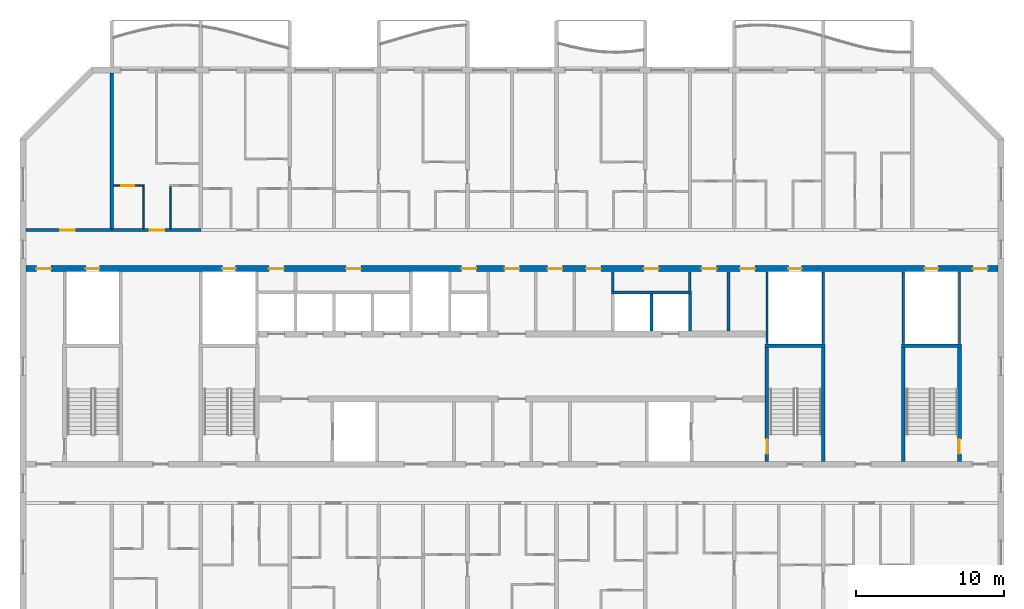
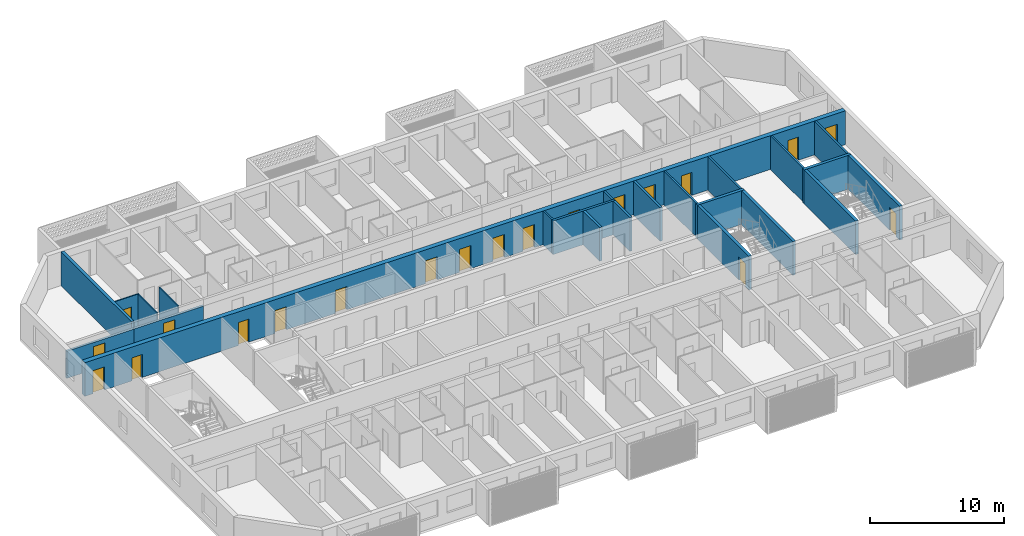
# One storey, part 7 of 27: 23 walls, 20 doors, 20 openings.
"""IFC4 building model written with IfcOpenShell, lengths in metres."""

from ifc_helpers import new_model, si_unit, direction, frame, frame_2d, origin, place, context, subcontext, project, spatial, rectangle, extrude, material, layer, layer_set, type_object, element, fill, save


model = new_model("IFC4")

# Units and contexts
model_context = context("Model", 3, precision=1e-05, world=origin(), true_north=direction((0.0, 1.0)))
body_context = subcontext(model_context, "Body", "Model", "MODEL_VIEW")
ifc_project = project(units=[si_unit("LENGTHUNIT", "METRE"), si_unit("AREAUNIT", "SQUARE_METRE"), si_unit("VOLUMEUNIT", "CUBIC_METRE"), si_unit("PLANEANGLEUNIT", "RADIAN"), si_unit("MASSUNIT", "GRAM", prefix="KILO")], contexts=[model_context])

# Site, building, storey
site_placement = place(None, origin())
site = spatial("IfcSite", under=ifc_project, at=site_placement, CompositionType="ELEMENT")
building_placement = place(site_placement, origin())
building = spatial("IfcBuilding", under=site, at=building_placement, Name="Poui Terraces", CompositionType="ELEMENT")
storey_placement = place(building_placement, frame((0.0, 0.0, 198.300048828125)))
storey = spatial("IfcBuildingStorey", under=building, at=storey_placement, Name="L55", CompositionType="ELEMENT", Elevation=198.300048828125)

# Wall, opening, door
ifc_material_1 = material(Name="Concrete 50 MPa", Category="concrete")
ifc_layer_1 = layer(ifc_material_1, 0.199951171875)
ifc_layer_set_1 = layer_set([ifc_layer_1], Name="Concrete 50 MPa")
wall_type_1 = type_object("IfcWallType", Name="CORRIDOR WALL 200 50MPa", PredefinedType="SHEAR", material=ifc_layer_set_1)
wall_1_placement = place(storey_placement, frame((18.199951171875, 30.39990234375, 0.0), z_axis=(0.0, 0.0, 1.0), x_axis=(1.0, 0.0, 0.0)))
wall_1 = element("IfcWall", 1, at=wall_1_placement, inside=storey, type_object=wall_type_1, Name="CORRIDOR WALL LINE E BAY 1", PredefinedType="SHEAR", context=body_context, shape_type="SweptSolid", body=[
    extrude(rectangle(XDim=5.800048828125, YDim=0.199951171875, at=frame_2d((2.89990234375, 0.0))), origin(), (0.0, 0.0, 1.0), 2.47998046875),
])
opening_1_placement = place(wall_1_placement, frame((2.300048828125, 0.0, 0.0)))
opening_1 = element("IfcOpeningElement", 2, at=opening_1_placement, cuts=wall_1, Name="Opening D100", PredefinedType="OPENING", context=body_context, shape_type="SweptSolid", body=[
    extrude(rectangle(XDim=1.0, YDim=2.10009765625, at=frame_2d((0.5, 1.050048828125))), frame((0.0, 0.10986328125, 0.0), z_axis=(0.0, -1.0, 0.0), x_axis=(1.0, 0.0, 0.0)), (0.0, 0.0, 1.0), 0.219970703125),
])
ifc_material_2 = material(Name="Solid core timber door", Category="wood")
door_type_1 = type_object("IfcDoorType", Name="ACCESSIBLE INTERNAL DOOR 1000 X 2100", OperationType="NOTDEFINED", PredefinedType="DOOR", material=ifc_material_2)
door_1_placement = place(opening_1_placement, origin())
door_1 = element("IfcDoor", 3, at=door_1_placement, inside=storey, type_object=door_type_1, Name="ACCESSIBLE INTERNAL DOOR 027", OperationType="SINGLE_SWING_LEFT", OverallHeight=2.10009765625, OverallWidth=1.0, PredefinedType="DOOR", context=body_context, shape_type="SweptSolid", body=[
    extrude(rectangle(XDim=1.0, YDim=2.10009765625, at=frame_2d((0.5, 1.050048828125))), frame((0.0, 0.02490234375, 0.0), z_axis=(0.0, -1.0, 0.0), x_axis=(1.0, 0.0, 0.0)), (0.0, 0.0, 1.0), 0.050048828125),
])
fill(opening_1, door_1)

wall_2_placement = place(storey_placement, frame((24.0, 30.39990234375, 0.0), z_axis=(0.0, 0.0, 1.0), x_axis=(1.0, 0.0, 0.0)))
wall_2 = element("IfcWall", 4, at=wall_2_placement, inside=storey, type_object=wall_type_1, Name="CORRIDOR WALL LINE E BAY 2", PredefinedType="SHEAR", context=body_context, shape_type="SweptSolid", body=[
    extrude(rectangle(XDim=6.0, YDim=0.199951171875, at=frame_2d((3.0, 0.0))), origin(), (0.0, 0.0, 1.0), 2.47998046875),
])
opening_2_placement = place(wall_2_placement, frame((2.550048828125, 0.0, 0.0)))
opening_2 = element("IfcOpeningElement", 5, at=opening_2_placement, cuts=wall_2, Name="Opening FD30S", PredefinedType="OPENING", context=body_context, shape_type="SweptSolid", body=[
    extrude(rectangle(XDim=1.0, YDim=2.10009765625, at=frame_2d((0.5, 1.050048828125))), frame((0.0, 0.10986328125, 0.0), z_axis=(0.0, -1.0, 0.0), x_axis=(1.0, 0.0, 0.0)), (0.0, 0.0, 1.0), 0.219970703125),
])
ifc_material_3 = material(Name="Steel fire door", Category="steel")
door_type_2 = type_object("IfcDoorType", Name="FLAT ENTRANCE DOOR 1000 X 2100", OperationType="NOTDEFINED", PredefinedType="DOOR", material=ifc_material_3)
door_2_placement = place(opening_2_placement, origin())
door_2 = element("IfcDoor", 6, at=door_2_placement, inside=storey, type_object=door_type_2, Name="FLAT ENTRANCE DOOR 029", OperationType="SINGLE_SWING_RIGHT", OverallHeight=2.10009765625, OverallWidth=1.0, PredefinedType="DOOR", context=body_context, shape_type="SweptSolid", body=[
    extrude(rectangle(XDim=1.0, YDim=2.10009765625, at=frame_2d((0.5, 1.050048828125))), frame((0.0, 0.02490234375, 0.0), z_axis=(0.0, -1.0, 0.0), x_axis=(1.0, 0.0, 0.0)), (0.0, 0.0, 1.0), 0.050048828125),
])
fill(opening_2, door_2)

# Wall
ifc_layer_2 = layer(ifc_material_1, 0.25)
ifc_layer_set_2 = layer_set([ifc_layer_2], Name="Concrete 50 MPa")
wall_type_2 = type_object("IfcWallType", Name="CROSS WALL 250 50MPa", PredefinedType="SHEAR", material=ifc_layer_set_2)
wall_3_placement = place(storey_placement, frame((24.0, 30.5, 0.0), z_axis=(0.0, 0.0, 1.0), x_axis=(0.0, 1.0, 0.0)))
element("IfcWall", 7, at=wall_3_placement, inside=storey, type_object=wall_type_2, Name="CROSS WALL LINE 5 NORTH", PredefinedType="SHEAR", context=body_context, shape_type="SweptSolid", body=[
    extrude(rectangle(XDim=10.5, YDim=0.25, at=frame_2d((5.25, 0.0))), origin(), (0.0, 0.0, 1.0), 3.079833984375),
])

# Wall, opening, door
ifc_material_4 = material(Name="Plasterboard partition")
ifc_layer_3 = layer(ifc_material_4, 0.10009765625)
ifc_layer_set_3 = layer_set([ifc_layer_3], Name="Plasterboard partition")
wall_type_3 = type_object("IfcWallType", Name="FLAT PARTITION 100", PredefinedType="PARTITIONING", material=ifc_layer_set_3)
wall_4_placement = place(storey_placement, frame((24.135009765625, 33.39990234375, 0.0), z_axis=(0.0, 0.0, 1.0), x_axis=(1.0, 0.0, 0.0)))
wall_4 = element("IfcWall", 8, at=wall_4_placement, inside=storey, type_object=wall_type_3, Name="FLAT PARTITION 100", PredefinedType="PARTITIONING", context=body_context, shape_type="SweptSolid", body=[
    extrude(rectangle(XDim=2.06494140625, YDim=0.10009765625, at=frame_2d((1.032470703125, 0.0))), origin(), (0.0, 0.0, 1.0), 3.079833984375),
])
opening_3_placement = place(wall_4_placement, frame((0.489990234375, 0.0, 0.0)))
opening_3 = element("IfcOpeningElement", 9, at=opening_3_placement, cuts=wall_4, Name="Opening D90", PredefinedType="OPENING", context=body_context, shape_type="SweptSolid", body=[
    extrude(rectangle(XDim=0.89990234375, YDim=2.10009765625, at=frame_2d((0.449951171875, 1.050048828125))), frame((0.0, 0.06005859375, 0.0), z_axis=(0.0, -1.0, 0.0), x_axis=(1.0, 0.0, 0.0)), (0.0, 0.0, 1.0), 0.1201171875),
])
door_type_3 = type_object("IfcDoorType", Name="INTERNAL DOOR 900 X 2100", OperationType="NOTDEFINED", PredefinedType="DOOR", material=ifc_material_2)
door_3_placement = place(opening_3_placement, frame((0.89990234375, 0.0, 0.0), z_axis=(0.0, 0.0, 1.0), x_axis=(-1.0, 0.0, 0.0)))
door_3 = element("IfcDoor", 10, at=door_3_placement, inside=storey, type_object=door_type_3, Name="INTERNAL DOOR 028", OperationType="SINGLE_SWING_LEFT", OverallHeight=2.10009765625, OverallWidth=0.89990234375, PredefinedType="DOOR", context=body_context, shape_type="SweptSolid", body=[
    extrude(rectangle(XDim=0.89990234375, YDim=2.10009765625, at=frame_2d((0.449951171875, 1.050048828125))), frame((0.0, 0.02490234375, 0.0), z_axis=(0.0, -1.0, 0.0), x_axis=(1.0, 0.0, 0.0)), (0.0, 0.0, 1.0), 0.050048828125),
])
fill(opening_3, door_3)

# Walls
for number, where, z_axis, x_axis, name in (
    (11, (26.14990234375, 30.510009765625, 0.0), (0.0, 0.0, 1.0), (0.0, 1.0, 0.0), "FLAT PARTITION 100"),
    (12, (27.949951171875, 30.510009765625, 0.0), (0.0, 0.0, 1.0), (0.0, 1.0, 0.0), "FLAT PARTITION 100"),
):
    element("IfcWall", number, at=place(storey_placement, frame(where, z_axis=z_axis, x_axis=x_axis)), inside=storey, type_object=wall_type_3, Name=name, PredefinedType="PARTITIONING", context=body_context, shape_type="SweptSolid", body=[
        extrude(rectangle(XDim=2.840087890625, YDim=0.10009765625, at=frame_2d((1.419921875, 0.0))), origin(), (0.0, 0.0, 1.0), 3.079833984375),
    ])
ifc_layer_4 = layer(ifc_material_4, 0.14990234375)
ifc_layer_set_4 = layer_set([ifc_layer_4], Name="Plasterboard partition")
wall_type_4 = type_object("IfcWallType", Name="PARTITION WALL 150", PredefinedType="PARTITIONING", material=ifc_layer_set_4)
for number, where, z_axis, x_axis, name in (
    (13, (57.800048828125, 26.300048828125, 0.0), (0.0, 0.0, 1.0), (0.0, 1.0, 0.0), "PARTITION WALL 150"),
    (14, (63.0, 26.300048828125, 0.0), (0.0, 0.0, 1.0), (0.0, 1.0, 0.0), "PARTITION WALL 150"),
):
    element("IfcWall", number, at=place(storey_placement, frame(where, z_axis=z_axis, x_axis=x_axis)), inside=storey, type_object=wall_type_4, Name=name, PredefinedType="PARTITIONING", context=body_context, shape_type="SweptSolid", body=[
        extrude(rectangle(XDim=1.2900390625, YDim=0.14990234375, at=frame_2d((0.64501953125, 0.0))), origin(), (0.0, 0.0, 1.0), 3.079833984375),
    ])
ifc_material_5 = material(Name="Fire-rated masonry wall", Category="masonry")
ifc_layer_5 = layer(ifc_material_5, 0.199951171875)
ifc_layer_set_5 = layer_set([ifc_layer_5], Name="Fire-rated masonry wall")
wall_type_5 = type_object("IfcWallType", Name="PLANT ROOM WALL 200", PredefinedType="PARTITIONING", material=ifc_layer_set_5)
wall_5_placement = place(storey_placement, frame((65.60009765625, 23.610107421875, 0.0), z_axis=(0.0, 0.0, 1.0), x_axis=(0.0, 1.0, 0.0)))
element("IfcWall", 15, at=wall_5_placement, inside=storey, type_object=wall_type_5, Name="PLANT ROOM WALL 200", PredefinedType="PARTITIONING", context=body_context, shape_type="SweptSolid", body=[
    extrude(rectangle(XDim=3.97998046875, YDim=0.199951171875, at=frame_2d((1.989990234375, 0.0))), origin(), (0.0, 0.0, 1.0), 3.079833984375),
])
ifc_material_6 = material(Name="Fire-rated plasterboard riser wall")
ifc_layer_6 = layer(ifc_material_6, 0.14990234375)
ifc_layer_set_6 = layer_set([ifc_layer_6], Name="Fire-rated plasterboard riser wall")
wall_type_6 = type_object("IfcWallType", Name="RISER WALL 150", PredefinedType="PARTITIONING", material=ifc_layer_set_6)
for number, where, z_axis, x_axis, name in (
    (16, (68.199951171875, 22.735107421875, 0.0), (0.0, 0.0, 1.0), (0.0, 1.0, 0.0), "RISER WALL 150"),
    (17, (72.0, 22.735107421875, 0.0), (0.0, 0.0, 1.0), (0.0, 1.0, 0.0), "RISER WALL 150"),
    (18, (77.39990234375, 22.735107421875, 0.0), (0.0, 0.0, 1.0), (0.0, 1.0, 0.0), "RISER WALL 150"),
    (19, (81.199951171875, 22.735107421875, 0.0), (0.0, 0.0, 1.0), (0.0, 1.0, 0.0), "RISER WALL 150"),
):
    element("IfcWall", number, at=place(storey_placement, frame(where, z_axis=z_axis, x_axis=x_axis)), inside=storey, type_object=wall_type_6, Name=name, PredefinedType="PARTITIONING", context=body_context, shape_type="SweptSolid", body=[
        extrude(rectangle(XDim=4.85498046875, YDim=0.14990234375, at=frame_2d((2.427490234375, 0.0))), origin(), (0.0, 0.0, 1.0), 3.079833984375),
    ])
ifc_material_7 = material(Name="Fire-rated masonry shaft wall", Category="masonry")
ifc_layer_7 = layer(ifc_material_7, 0.199951171875)
ifc_layer_set_7 = layer_set([ifc_layer_7], Name="Fire-rated masonry shaft wall")
wall_type_7 = type_object("IfcWallType", Name="SHAFT WALL 200", PredefinedType="PARTITIONING", material=ifc_layer_set_7)
wall_6_placement = place(storey_placement, frame((57.699951171875, 26.199951171875, 0.0), z_axis=(0.0, 0.0, 1.0), x_axis=(1.0, 0.0, 0.0)))
element("IfcWall", 20, at=wall_6_placement, inside=storey, type_object=wall_type_7, Name="SHAFT WALL 200", PredefinedType="PARTITIONING", context=body_context, shape_type="SweptSolid", body=[
    extrude(rectangle(XDim=5.400146484375, YDim=0.199951171875, at=frame_2d((2.7001953125, 0.0))), origin(), (0.0, 0.0, 1.0), 3.079833984375),
])
for number, where, z_axis, x_axis, name in (
    (21, (60.39990234375, 23.610107421875, 0.0), (0.0, 0.0, 1.0), (0.0, 1.0, 0.0), "SHAFT WALL 200"),
    (22, (63.0, 23.610107421875, 0.0), (0.0, 0.0, 1.0), (0.0, 1.0, 0.0), "SHAFT WALL 200"),
):
    element("IfcWall", number, at=place(storey_placement, frame(where, z_axis=z_axis, x_axis=x_axis)), inside=storey, type_object=wall_type_7, Name=name, PredefinedType="PARTITIONING", context=body_context, shape_type="SweptSolid", body=[
        extrude(rectangle(XDim=2.489990234375, YDim=0.199951171875, at=frame_2d((1.2451171875, 0.0))), origin(), (0.0, 0.0, 1.0), 3.079833984375),
    ])

# Wall, openings, doors
ifc_layer_8 = layer(ifc_material_1, 0.39990234375)
ifc_layer_set_8 = layer_set([ifc_layer_8], Name="Concrete 50 MPa")
wall_type_8 = type_object("IfcWallType", Name="SPINE WALL 400 50 MPA", PredefinedType="SOLIDWALL", material=ifc_layer_set_8)
wall_7_placement = place(storey_placement, frame((18.199951171875, 27.800048828125, 0.0), z_axis=(0.0, 0.0, 1.0), x_axis=(1.0, 0.0, 0.0)))
wall_7 = element("IfcWall", 23, at=wall_7_placement, inside=storey, type_object=wall_type_8, Name="SPINE WALL", PredefinedType="SOLIDWALL", context=body_context, shape_type="SweptSolid", body=[
    extrude(rectangle(XDim=65.60009765625, YDim=0.39990234375, at=frame_2d((32.800048828125, 0.0))), origin(), (0.0, 0.0, 1.0), 3.079833984375),
])
opening_4_placement = place(wall_7_placement, frame((0.699951171875, 0.0, 0.0)))
opening_4 = element("IfcOpeningElement", 24, at=opening_4_placement, cuts=wall_7, Name="Opening FDL", PredefinedType="OPENING", context=body_context, shape_type="SweptSolid", body=[
    extrude(rectangle(XDim=1.0, YDim=2.10009765625, at=frame_2d((0.5, 1.050048828125))), frame((0.0, 0.2099609375, 0.0), z_axis=(0.0, -1.0, 0.0), x_axis=(1.0, 0.0, 0.0)), (0.0, 0.0, 1.0), 0.419921875),
])
opening_5_placement = place(wall_7_placement, frame((4.050048828125, 0.0, 0.0)))
opening_5 = element("IfcOpeningElement", 25, at=opening_5_placement, cuts=wall_7, Name="Opening FDR", PredefinedType="OPENING", context=body_context, shape_type="SweptSolid", body=[
    extrude(rectangle(XDim=0.89990234375, YDim=2.10009765625, at=frame_2d((0.449951171875, 1.050048828125))), frame((0.0, 0.2099609375, 0.0), z_axis=(0.0, -1.0, 0.0), x_axis=(1.0, 0.0, 0.0)), (0.0, 0.0, 1.0), 0.419921875),
])
opening_6_placement = place(wall_7_placement, frame((13.25, 0.0, 0.0)))
opening_6 = element("IfcOpeningElement", 26, at=opening_6_placement, cuts=wall_7, Name="Opening FDR", PredefinedType="OPENING", context=body_context, shape_type="SweptSolid", body=[
    extrude(rectangle(XDim=0.89990234375, YDim=2.10009765625, at=frame_2d((0.449951171875, 1.050048828125))), frame((0.0, 0.2099609375, 0.0), z_axis=(0.0, -1.0, 0.0), x_axis=(1.0, 0.0, 0.0)), (0.0, 0.0, 1.0), 0.419921875),
])
opening_7_placement = place(wall_7_placement, frame((16.39990234375, 0.0, 0.0)))
opening_7 = element("IfcOpeningElement", 27, at=opening_7_placement, cuts=wall_7, Name="Opening FD60", PredefinedType="OPENING", context=body_context, shape_type="SweptSolid", body=[
    extrude(rectangle(XDim=1.0, YDim=2.10009765625, at=frame_2d((0.5, 1.050048828125))), frame((0.0, 0.2099609375, 0.0), z_axis=(0.0, -1.0, 0.0), x_axis=(1.0, 0.0, 0.0)), (0.0, 0.0, 1.0), 0.419921875),
])
opening_8_placement = place(wall_7_placement, frame((21.60009765625, 0.0, 0.0)))
opening_8 = element("IfcOpeningElement", 28, at=opening_8_placement, cuts=wall_7, Name="Opening FD60", PredefinedType="OPENING", context=body_context, shape_type="SweptSolid", body=[
    extrude(rectangle(XDim=1.0, YDim=2.10009765625, at=frame_2d((0.5, 1.050048828125))), frame((0.0, 0.2099609375, 0.0), z_axis=(0.0, -1.0, 0.0), x_axis=(1.0, 0.0, 0.0)), (0.0, 0.0, 1.0), 0.419921875),
])
opening_9_placement = place(wall_7_placement, frame((29.39990234375, 0.0, 0.0)))
opening_9 = element("IfcOpeningElement", 29, at=opening_9_placement, cuts=wall_7, Name="Opening FD60", PredefinedType="OPENING", context=body_context, shape_type="SweptSolid", body=[
    extrude(rectangle(XDim=1.0, YDim=2.10009765625, at=frame_2d((0.5, 1.050048828125))), frame((0.0, 0.2099609375, 0.0), z_axis=(0.0, -1.0, 0.0), x_axis=(1.0, 0.0, 0.0)), (0.0, 0.0, 1.0), 0.419921875),
])
opening_10_placement = place(wall_7_placement, frame((32.300048828125, 0.0, 0.0)))
opening_10 = element("IfcOpeningElement", 30, at=opening_10_placement, cuts=wall_7, Name="Opening FDL", PredefinedType="OPENING", context=body_context, shape_type="SweptSolid", body=[
    extrude(rectangle(XDim=1.0, YDim=2.10009765625, at=frame_2d((0.5, 1.050048828125))), frame((0.0, 0.2099609375, 0.0), z_axis=(0.0, -1.0, 0.0), x_axis=(1.0, 0.0, 0.0)), (0.0, 0.0, 1.0), 0.419921875),
])
opening_11_placement = place(wall_7_placement, frame((35.199951171875, 0.0, 0.0)))
opening_11 = element("IfcOpeningElement", 31, at=opening_11_placement, cuts=wall_7, Name="Opening FD60", PredefinedType="OPENING", context=body_context, shape_type="SweptSolid", body=[
    extrude(rectangle(XDim=1.0, YDim=2.10009765625, at=frame_2d((0.5, 1.050048828125))), frame((0.0, 0.2099609375, 0.0), z_axis=(0.0, -1.0, 0.0), x_axis=(1.0, 0.0, 0.0)), (0.0, 0.0, 1.0), 0.419921875),
])
opening_12_placement = place(wall_7_placement, frame((37.800048828125, 0.0, 0.0)))
opening_12 = element("IfcOpeningElement", 32, at=opening_12_placement, cuts=wall_7, Name="Opening FD60", PredefinedType="OPENING", context=body_context, shape_type="SweptSolid", body=[
    extrude(rectangle(XDim=1.0, YDim=2.10009765625, at=frame_2d((0.5, 1.050048828125))), frame((0.0, 0.2099609375, 0.0), z_axis=(0.0, -1.0, 0.0), x_axis=(1.0, 0.0, 0.0)), (0.0, 0.0, 1.0), 0.419921875),
])
opening_13_placement = place(wall_7_placement, frame((41.699951171875, 0.0, 0.0)))
opening_13 = element("IfcOpeningElement", 33, at=opening_13_placement, cuts=wall_7, Name="Opening FD60", PredefinedType="OPENING", context=body_context, shape_type="SweptSolid", body=[
    extrude(rectangle(XDim=1.0, YDim=2.10009765625, at=frame_2d((0.5, 1.050048828125))), frame((0.0, 0.2099609375, 0.0), z_axis=(0.0, -1.0, 0.0), x_axis=(1.0, 0.0, 0.0)), (0.0, 0.0, 1.0), 0.419921875),
])
opening_14_placement = place(wall_7_placement, frame((45.60009765625, 0.0, 0.0)))
opening_14 = element("IfcOpeningElement", 34, at=opening_14_placement, cuts=wall_7, Name="Opening FD60", PredefinedType="OPENING", context=body_context, shape_type="SweptSolid", body=[
    extrude(rectangle(XDim=1.0, YDim=2.10009765625, at=frame_2d((0.5, 1.050048828125))), frame((0.0, 0.2099609375, 0.0), z_axis=(0.0, -1.0, 0.0), x_axis=(1.0, 0.0, 0.0)), (0.0, 0.0, 1.0), 0.419921875),
])
opening_15_placement = place(wall_7_placement, frame((48.199951171875, 0.0, 0.0)))
opening_15 = element("IfcOpeningElement", 35, at=opening_15_placement, cuts=wall_7, Name="Opening FD60", PredefinedType="OPENING", context=body_context, shape_type="SweptSolid", body=[
    extrude(rectangle(XDim=1.0, YDim=2.10009765625, at=frame_2d((0.5, 1.050048828125))), frame((0.0, 0.2099609375, 0.0), z_axis=(0.0, -1.0, 0.0), x_axis=(1.0, 0.0, 0.0)), (0.0, 0.0, 1.0), 0.419921875),
])
opening_16_placement = place(wall_7_placement, frame((51.449951171875, 0.0, 0.0)))
opening_16 = element("IfcOpeningElement", 36, at=opening_16_placement, cuts=wall_7, Name="Opening FDR", PredefinedType="OPENING", context=body_context, shape_type="SweptSolid", body=[
    extrude(rectangle(XDim=0.89990234375, YDim=2.10009765625, at=frame_2d((0.449951171875, 1.050048828125))), frame((0.0, 0.2099609375, 0.0), z_axis=(0.0, -1.0, 0.0), x_axis=(1.0, 0.0, 0.0)), (0.0, 0.0, 1.0), 0.419921875),
])
opening_17_placement = place(wall_7_placement, frame((60.64990234375, 0.0, 0.0)))
opening_17 = element("IfcOpeningElement", 37, at=opening_17_placement, cuts=wall_7, Name="Opening FDR", PredefinedType="OPENING", context=body_context, shape_type="SweptSolid", body=[
    extrude(rectangle(XDim=0.89990234375, YDim=2.10009765625, at=frame_2d((0.449951171875, 1.050048828125))), frame((0.0, 0.2099609375, 0.0), z_axis=(0.0, -1.0, 0.0), x_axis=(1.0, 0.0, 0.0)), (0.0, 0.0, 1.0), 0.419921875),
])
opening_18_placement = place(wall_7_placement, frame((63.89990234375, 0.0, 0.0)))
opening_18 = element("IfcOpeningElement", 38, at=opening_18_placement, cuts=wall_7, Name="Opening FDL", PredefinedType="OPENING", context=body_context, shape_type="SweptSolid", body=[
    extrude(rectangle(XDim=1.0, YDim=2.10009765625, at=frame_2d((0.5, 1.050048828125))), frame((0.0, 0.2099609375, 0.0), z_axis=(0.0, -1.0, 0.0), x_axis=(1.0, 0.0, 0.0)), (0.0, 0.0, 1.0), 0.419921875),
])
door_type_4 = type_object("IfcDoorType", Name="LOBBY FIRE DOOR 1000 X 2100", OperationType="NOTDEFINED", PredefinedType="DOOR", material=ifc_material_3)
door_4_placement = place(opening_4_placement, origin())
door_4 = element("IfcDoor", 39, at=door_4_placement, inside=storey, type_object=door_type_4, Name="LOBBY FIRE DOOR 001", OperationType="SINGLE_SWING_LEFT", OverallHeight=2.10009765625, OverallWidth=1.0, PredefinedType="DOOR", context=body_context, shape_type="SweptSolid", body=[
    extrude(rectangle(XDim=1.0, YDim=2.10009765625, at=frame_2d((0.5, 1.050048828125))), frame((0.0, 0.02490234375, 0.0), z_axis=(0.0, -1.0, 0.0), x_axis=(1.0, 0.0, 0.0)), (0.0, 0.0, 1.0), 0.050048828125),
])
fill(opening_4, door_4)
door_5_placement = place(opening_10_placement, origin())
door_5 = element("IfcDoor", 40, at=door_5_placement, inside=storey, type_object=door_type_4, Name="LOBBY FIRE DOOR 007", OperationType="SINGLE_SWING_RIGHT", OverallHeight=2.10009765625, OverallWidth=1.0, PredefinedType="DOOR", context=body_context, shape_type="SweptSolid", body=[
    extrude(rectangle(XDim=1.0, YDim=2.10009765625, at=frame_2d((0.5, 1.050048828125))), frame((0.0, 0.02490234375, 0.0), z_axis=(0.0, -1.0, 0.0), x_axis=(1.0, 0.0, 0.0)), (0.0, 0.0, 1.0), 0.050048828125),
])
fill(opening_10, door_5)
door_6_placement = place(opening_18_placement, origin())
door_6 = element("IfcDoor", 41, at=door_6_placement, inside=storey, type_object=door_type_4, Name="LOBBY FIRE DOOR 015", OperationType="SINGLE_SWING_RIGHT", OverallHeight=2.10009765625, OverallWidth=1.0, PredefinedType="DOOR", context=body_context, shape_type="SweptSolid", body=[
    extrude(rectangle(XDim=1.0, YDim=2.10009765625, at=frame_2d((0.5, 1.050048828125))), frame((0.0, 0.02490234375, 0.0), z_axis=(0.0, -1.0, 0.0), x_axis=(1.0, 0.0, 0.0)), (0.0, 0.0, 1.0), 0.050048828125),
])
fill(opening_18, door_6)
door_type_5 = type_object("IfcDoorType", Name="RISER CUPBOARD DOOR 900 X 2100", OperationType="NOTDEFINED", PredefinedType="DOOR", material=ifc_material_3)
door_7_placement = place(opening_5_placement, origin())
door_7 = element("IfcDoor", 42, at=door_7_placement, inside=storey, type_object=door_type_5, Name="RISER CUPBOARD DOOR 002", OperationType="SINGLE_SWING_LEFT", OverallHeight=2.10009765625, OverallWidth=0.89990234375, PredefinedType="DOOR", context=body_context, shape_type="SweptSolid", body=[
    extrude(rectangle(XDim=0.89990234375, YDim=2.10009765625, at=frame_2d((0.449951171875, 1.050048828125))), frame((0.0, 0.02490234375, 0.0), z_axis=(0.0, -1.0, 0.0), x_axis=(1.0, 0.0, 0.0)), (0.0, 0.0, 1.0), 0.050048828125),
])
fill(opening_5, door_7)
door_8_placement = place(opening_6_placement, origin())
door_8 = element("IfcDoor", 43, at=door_8_placement, inside=storey, type_object=door_type_5, Name="RISER CUPBOARD DOOR 003", OperationType="SINGLE_SWING_LEFT", OverallHeight=2.10009765625, OverallWidth=0.89990234375, PredefinedType="DOOR", context=body_context, shape_type="SweptSolid", body=[
    extrude(rectangle(XDim=0.89990234375, YDim=2.10009765625, at=frame_2d((0.449951171875, 1.050048828125))), frame((0.0, 0.02490234375, 0.0), z_axis=(0.0, -1.0, 0.0), x_axis=(1.0, 0.0, 0.0)), (0.0, 0.0, 1.0), 0.050048828125),
])
fill(opening_6, door_8)
door_9_placement = place(opening_16_placement, origin())
door_9 = element("IfcDoor", 44, at=door_9_placement, inside=storey, type_object=door_type_5, Name="RISER CUPBOARD DOOR 013", OperationType="SINGLE_SWING_RIGHT", OverallHeight=2.10009765625, OverallWidth=0.89990234375, PredefinedType="DOOR", context=body_context, shape_type="SweptSolid", body=[
    extrude(rectangle(XDim=0.89990234375, YDim=2.10009765625, at=frame_2d((0.449951171875, 1.050048828125))), frame((0.0, 0.02490234375, 0.0), z_axis=(0.0, -1.0, 0.0), x_axis=(1.0, 0.0, 0.0)), (0.0, 0.0, 1.0), 0.050048828125),
])
fill(opening_16, door_9)
door_10_placement = place(opening_17_placement, origin())
door_10 = element("IfcDoor", 45, at=door_10_placement, inside=storey, type_object=door_type_5, Name="RISER CUPBOARD DOOR 014", OperationType="SINGLE_SWING_RIGHT", OverallHeight=2.10009765625, OverallWidth=0.89990234375, PredefinedType="DOOR", context=body_context, shape_type="SweptSolid", body=[
    extrude(rectangle(XDim=0.89990234375, YDim=2.10009765625, at=frame_2d((0.449951171875, 1.050048828125))), frame((0.0, 0.02490234375, 0.0), z_axis=(0.0, -1.0, 0.0), x_axis=(1.0, 0.0, 0.0)), (0.0, 0.0, 1.0), 0.050048828125),
])
fill(opening_17, door_10)
door_type_6 = type_object("IfcDoorType", Name="SERVICE ROOM FIRE DOOR 1000 X 2100", OperationType="NOTDEFINED", PredefinedType="DOOR", material=ifc_material_3)
door_11_placement = place(opening_7_placement, origin())
door_11 = element("IfcDoor", 46, at=door_11_placement, inside=storey, type_object=door_type_6, Name="SERVICE ROOM FIRE DOOR 004", OperationType="SINGLE_SWING_LEFT", OverallHeight=2.10009765625, OverallWidth=1.0, PredefinedType="DOOR", context=body_context, shape_type="SweptSolid", body=[
    extrude(rectangle(XDim=1.0, YDim=2.10009765625, at=frame_2d((0.5, 1.050048828125))), frame((0.0, 0.02490234375, 0.0), z_axis=(0.0, -1.0, 0.0), x_axis=(1.0, 0.0, 0.0)), (0.0, 0.0, 1.0), 0.050048828125),
])
fill(opening_7, door_11)
door_12_placement = place(opening_8_placement, origin())
door_12 = element("IfcDoor", 47, at=door_12_placement, inside=storey, type_object=door_type_6, Name="SERVICE ROOM FIRE DOOR 005", OperationType="SINGLE_SWING_RIGHT", OverallHeight=2.10009765625, OverallWidth=1.0, PredefinedType="DOOR", context=body_context, shape_type="SweptSolid", body=[
    extrude(rectangle(XDim=1.0, YDim=2.10009765625, at=frame_2d((0.5, 1.050048828125))), frame((0.0, 0.02490234375, 0.0), z_axis=(0.0, -1.0, 0.0), x_axis=(1.0, 0.0, 0.0)), (0.0, 0.0, 1.0), 0.050048828125),
])
fill(opening_8, door_12)
door_13_placement = place(opening_9_placement, origin())
door_13 = element("IfcDoor", 48, at=door_13_placement, inside=storey, type_object=door_type_6, Name="SERVICE ROOM FIRE DOOR 006", OperationType="SINGLE_SWING_LEFT", OverallHeight=2.10009765625, OverallWidth=1.0, PredefinedType="DOOR", context=body_context, shape_type="SweptSolid", body=[
    extrude(rectangle(XDim=1.0, YDim=2.10009765625, at=frame_2d((0.5, 1.050048828125))), frame((0.0, 0.02490234375, 0.0), z_axis=(0.0, -1.0, 0.0), x_axis=(1.0, 0.0, 0.0)), (0.0, 0.0, 1.0), 0.050048828125),
])
fill(opening_9, door_13)
door_14_placement = place(opening_11_placement, origin())
door_14 = element("IfcDoor", 49, at=door_14_placement, inside=storey, type_object=door_type_6, Name="SERVICE ROOM FIRE DOOR 008", OperationType="SINGLE_SWING_RIGHT", OverallHeight=2.10009765625, OverallWidth=1.0, PredefinedType="DOOR", context=body_context, shape_type="SweptSolid", body=[
    extrude(rectangle(XDim=1.0, YDim=2.10009765625, at=frame_2d((0.5, 1.050048828125))), frame((0.0, 0.02490234375, 0.0), z_axis=(0.0, -1.0, 0.0), x_axis=(1.0, 0.0, 0.0)), (0.0, 0.0, 1.0), 0.050048828125),
])
fill(opening_11, door_14)
door_15_placement = place(opening_12_placement, origin())
door_15 = element("IfcDoor", 50, at=door_15_placement, inside=storey, type_object=door_type_6, Name="SERVICE ROOM FIRE DOOR 009", OperationType="SINGLE_SWING_LEFT", OverallHeight=2.10009765625, OverallWidth=1.0, PredefinedType="DOOR", context=body_context, shape_type="SweptSolid", body=[
    extrude(rectangle(XDim=1.0, YDim=2.10009765625, at=frame_2d((0.5, 1.050048828125))), frame((0.0, 0.02490234375, 0.0), z_axis=(0.0, -1.0, 0.0), x_axis=(1.0, 0.0, 0.0)), (0.0, 0.0, 1.0), 0.050048828125),
])
fill(opening_12, door_15)
door_16_placement = place(opening_13_placement, origin())
door_16 = element("IfcDoor", 51, at=door_16_placement, inside=storey, type_object=door_type_6, Name="SERVICE ROOM FIRE DOOR 010", OperationType="SINGLE_SWING_RIGHT", OverallHeight=2.10009765625, OverallWidth=1.0, PredefinedType="DOOR", context=body_context, shape_type="SweptSolid", body=[
    extrude(rectangle(XDim=1.0, YDim=2.10009765625, at=frame_2d((0.5, 1.050048828125))), frame((0.0, 0.02490234375, 0.0), z_axis=(0.0, -1.0, 0.0), x_axis=(1.0, 0.0, 0.0)), (0.0, 0.0, 1.0), 0.050048828125),
])
fill(opening_13, door_16)
door_17_placement = place(opening_14_placement, origin())
door_17 = element("IfcDoor", 52, at=door_17_placement, inside=storey, type_object=door_type_6, Name="SERVICE ROOM FIRE DOOR 011", OperationType="SINGLE_SWING_LEFT", OverallHeight=2.10009765625, OverallWidth=1.0, PredefinedType="DOOR", context=body_context, shape_type="SweptSolid", body=[
    extrude(rectangle(XDim=1.0, YDim=2.10009765625, at=frame_2d((0.5, 1.050048828125))), frame((0.0, 0.02490234375, 0.0), z_axis=(0.0, -1.0, 0.0), x_axis=(1.0, 0.0, 0.0)), (0.0, 0.0, 1.0), 0.050048828125),
])
fill(opening_14, door_17)
door_18_placement = place(opening_15_placement, origin())
door_18 = element("IfcDoor", 53, at=door_18_placement, inside=storey, type_object=door_type_6, Name="SERVICE ROOM FIRE DOOR 012", OperationType="SINGLE_SWING_RIGHT", OverallHeight=2.10009765625, OverallWidth=1.0, PredefinedType="DOOR", context=body_context, shape_type="SweptSolid", body=[
    extrude(rectangle(XDim=1.0, YDim=2.10009765625, at=frame_2d((0.5, 1.050048828125))), frame((0.0, 0.02490234375, 0.0), z_axis=(0.0, -1.0, 0.0), x_axis=(1.0, 0.0, 0.0)), (0.0, 0.0, 1.0), 0.050048828125),
])
fill(opening_15, door_18)

# Wall, opening, door
ifc_layer_9 = layer(ifc_material_1, 0.25)
ifc_layer_set_9 = layer_set([ifc_layer_9], Name="Concrete 50 MPa")
wall_type_9 = type_object("IfcWallType", Name="STAIR CORE WALL 250 50 MPA", PredefinedType="SOLIDWALL", material=ifc_layer_set_9)
wall_8_placement = place(storey_placement, frame((68.199951171875, 14.800048828125, 0.0), z_axis=(0.0, 0.0, 1.0), x_axis=(0.0, 1.0, 0.0)))
wall_8 = element("IfcWall", 54, at=wall_8_placement, inside=storey, type_object=wall_type_9, Name="STAIR CORE WALL", PredefinedType="SOLIDWALL", context=body_context, shape_type="SweptSolid", body=[
    extrude(rectangle(XDim=7.675048828125, YDim=0.25, at=frame_2d((3.83740234375, 0.0))), origin(), (0.0, 0.0, 1.0), 3.079833984375),
])
opening_19_placement = place(wall_8_placement, frame((0.5, 0.0, 0.0)))
opening_19 = element("IfcOpeningElement", 55, at=opening_19_placement, cuts=wall_8, Name="Opening FD60S", PredefinedType="OPENING", context=body_context, shape_type="SweptSolid", body=[
    extrude(rectangle(XDim=1.0, YDim=2.10009765625, at=frame_2d((0.5, 1.050048828125))), frame((0.0, 0.135009765625, 0.0), z_axis=(0.0, -1.0, 0.0), x_axis=(1.0, 0.0, 0.0)), (0.0, 0.0, 1.0), 0.27001953125),
])
door_type_7 = type_object("IfcDoorType", Name="STAIR DOOR 1000 X 2100", OperationType="NOTDEFINED", PredefinedType="DOOR", material=ifc_material_3)
door_19_placement = place(opening_19_placement, frame((1.0, 0.0, 0.0), z_axis=(0.0, 0.0, 1.0), x_axis=(-1.0, 0.0, 0.0)))
door_19 = element("IfcDoor", 56, at=door_19_placement, inside=storey, type_object=door_type_7, Name="STAIR DOOR 100", OperationType="SINGLE_SWING_LEFT", OverallHeight=2.10009765625, OverallWidth=1.0, PredefinedType="DOOR", context=body_context, shape_type="SweptSolid", body=[
    extrude(rectangle(XDim=1.0, YDim=2.10009765625, at=frame_2d((0.5, 1.050048828125))), frame((0.0, 0.02490234375, 0.0), z_axis=(0.0, -1.0, 0.0), x_axis=(1.0, 0.0, 0.0)), (0.0, 0.0, 1.0), 0.050048828125),
])
fill(opening_19, door_19)

# Walls
wall_9_placement = place(storey_placement, frame((72.0, 14.800048828125, 0.0), z_axis=(0.0, 0.0, 1.0), x_axis=(0.0, 1.0, 0.0)))
element("IfcWall", 57, at=wall_9_placement, inside=storey, type_object=wall_type_9, Name="STAIR CORE WALL", PredefinedType="SOLIDWALL", context=body_context, shape_type="SweptSolid", body=[
    extrude(rectangle(XDim=7.675048828125, YDim=0.25, at=frame_2d((3.83740234375, 0.0))), origin(), (0.0, 0.0, 1.0), 3.079833984375),
])
wall_10_placement = place(storey_placement, frame((68.074951171875, 22.60009765625, 0.0), z_axis=(0.0, 0.0, 1.0), x_axis=(1.0, 0.0, 0.0)))
element("IfcWall", 58, at=wall_10_placement, inside=storey, type_object=wall_type_9, Name="STAIR CORE WALL", PredefinedType="SOLIDWALL", context=body_context, shape_type="SweptSolid", body=[
    extrude(rectangle(XDim=4.050048828125, YDim=0.25, at=frame_2d((2.02490234375, 0.0))), origin(), (0.0, 0.0, 1.0), 3.079833984375),
])
wall_11_placement = place(storey_placement, frame((77.39990234375, 14.800048828125, 0.0), z_axis=(0.0, 0.0, 1.0), x_axis=(0.0, 1.0, 0.0)))
element("IfcWall", 59, at=wall_11_placement, inside=storey, type_object=wall_type_9, Name="STAIR CORE WALL", PredefinedType="SOLIDWALL", context=body_context, shape_type="SweptSolid", body=[
    extrude(rectangle(XDim=7.675048828125, YDim=0.25, at=frame_2d((3.83740234375, 0.0))), origin(), (0.0, 0.0, 1.0), 3.079833984375),
])

# Wall, opening, door
wall_12_placement = place(storey_placement, frame((81.199951171875, 14.800048828125, 0.0), z_axis=(0.0, 0.0, 1.0), x_axis=(0.0, 1.0, 0.0)))
wall_12 = element("IfcWall", 60, at=wall_12_placement, inside=storey, type_object=wall_type_9, Name="STAIR CORE WALL", PredefinedType="SOLIDWALL", context=body_context, shape_type="SweptSolid", body=[
    extrude(rectangle(XDim=7.675048828125, YDim=0.25, at=frame_2d((3.83740234375, 0.0))), origin(), (0.0, 0.0, 1.0), 3.079833984375),
])
opening_20_placement = place(wall_12_placement, frame((0.5, 0.0, 0.0)))
opening_20 = element("IfcOpeningElement", 61, at=opening_20_placement, cuts=wall_12, Name="Opening FD60S", PredefinedType="OPENING", context=body_context, shape_type="SweptSolid", body=[
    extrude(rectangle(XDim=1.0, YDim=2.10009765625, at=frame_2d((0.5, 1.050048828125))), frame((0.0, 0.135009765625, 0.0), z_axis=(0.0, -1.0, 0.0), x_axis=(1.0, 0.0, 0.0)), (0.0, 0.0, 1.0), 0.27001953125),
])
door_20_placement = place(opening_20_placement, origin())
door_20 = element("IfcDoor", 62, at=door_20_placement, inside=storey, type_object=door_type_7, Name="STAIR DOOR 114", OperationType="SINGLE_SWING_LEFT", OverallHeight=2.10009765625, OverallWidth=1.0, PredefinedType="DOOR", context=body_context, shape_type="SweptSolid", body=[
    extrude(rectangle(XDim=1.0, YDim=2.10009765625, at=frame_2d((0.5, 1.050048828125))), frame((0.0, 0.02490234375, 0.0), z_axis=(0.0, -1.0, 0.0), x_axis=(1.0, 0.0, 0.0)), (0.0, 0.0, 1.0), 0.050048828125),
])
fill(opening_20, door_20)

# Wall
wall_13_placement = place(storey_placement, frame((77.27490234375, 22.60009765625, 0.0), z_axis=(0.0, 0.0, 1.0), x_axis=(1.0, 0.0, 0.0)))
element("IfcWall", 63, at=wall_13_placement, inside=storey, type_object=wall_type_9, Name="STAIR CORE WALL", PredefinedType="SOLIDWALL", context=body_context, shape_type="SweptSolid", body=[
    extrude(rectangle(XDim=4.050048828125, YDim=0.25, at=frame_2d((2.02490234375, 0.0))), origin(), (0.0, 0.0, 1.0), 3.079833984375),
])

save(model, "model.ifc")
